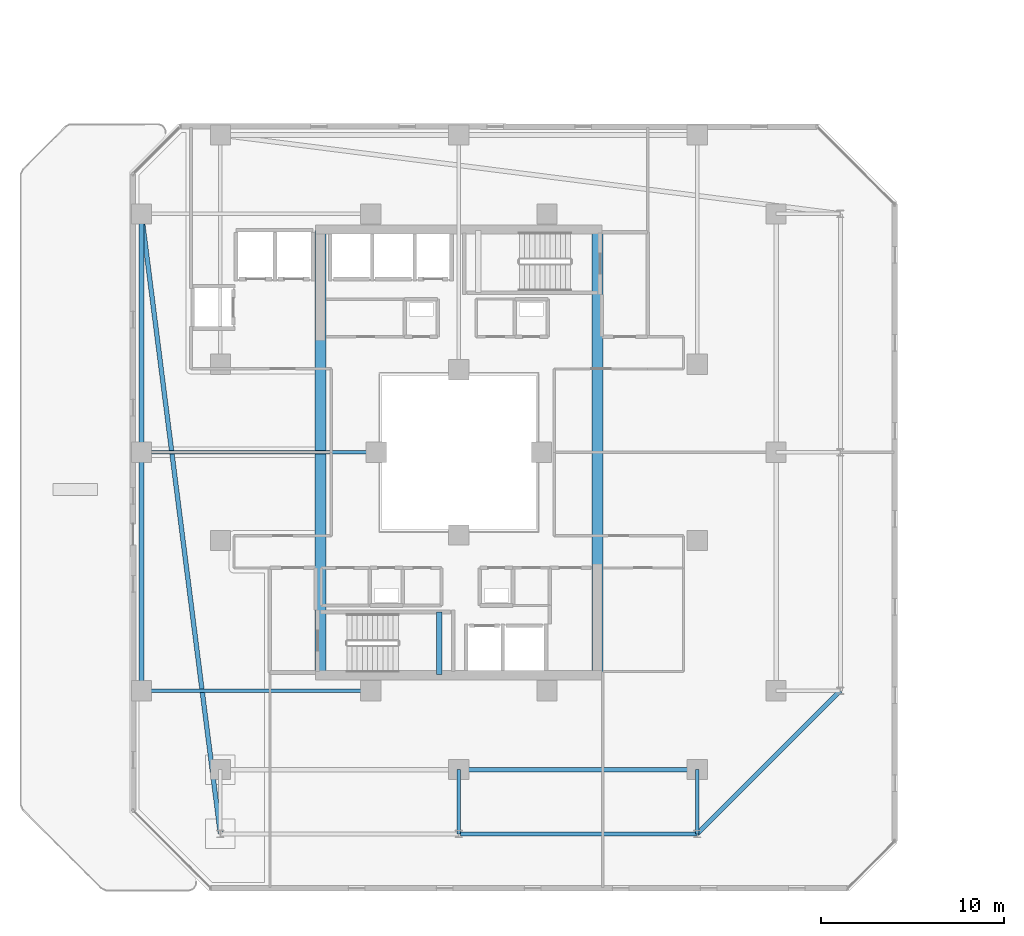
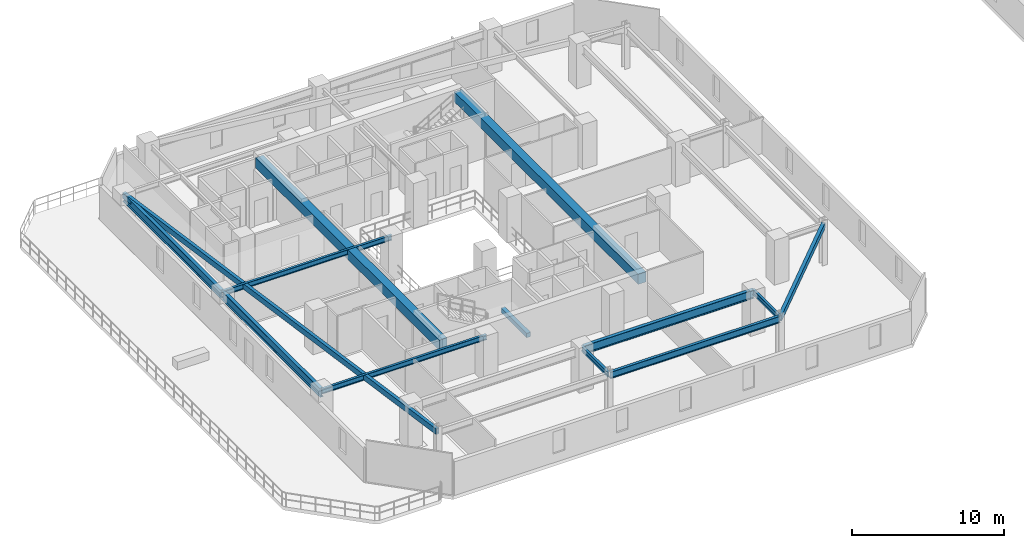
# One storey, part 4 of 30: 13 beams.
"""IFC4 building model written with IfcOpenShell, lengths in metres."""

from ifc_helpers import new_model, si_unit, direction, frame, origin, origin_2d, place, context, subcontext, project, spatial, rectangle, hollow_rectangle, i_section, extrude, material, material_profile, profile_set, type_object, element, save


model = new_model("IFC4")

# Units and contexts
model_context = context("Model", 3, precision=1e-05, world=origin(), true_north=direction((0.0, 1.0)))
body_context = subcontext(model_context, "Body", "Model", "MODEL_VIEW")
ifc_project = project(units=[si_unit("LENGTHUNIT", "METRE"), si_unit("AREAUNIT", "SQUARE_METRE"), si_unit("VOLUMEUNIT", "CUBIC_METRE"), si_unit("PLANEANGLEUNIT", "RADIAN"), si_unit("MASSUNIT", "GRAM", prefix="KILO")], contexts=[model_context])

# Site, building, storey
site_placement = place(None, origin())
site = spatial("IfcSite", under=ifc_project, at=site_placement, CompositionType="ELEMENT")
building_placement = place(site_placement, origin())
building = spatial("IfcBuilding", under=site, at=building_placement, Name="Thornwick Lancets Civic Towers", CompositionType="ELEMENT")
storey_placement = place(building_placement, frame((0.0, 0.0, 149.10009765625)))
storey = spatial("IfcBuildingStorey", under=building, at=storey_placement, Name="L39", CompositionType="ELEMENT", Elevation=149.10009765625)

# Beams
ifc_material_1 = material(Name="Concrete C60/75", Category="concrete")
ifc_material_profile_1 = material_profile(ifc_material_1, rectangle(XDim=0.60009765625, YDim=0.800048828125, at=origin_2d()), Name="RC 600x800")
ifc_profile_set_1 = profile_set([ifc_material_profile_1], Name="Concrete C60/75")
beam_type_1 = type_object("IfcBeamType", Name="BM_COUP_RC800", PredefinedType="BEAM", material=ifc_profile_set_1)
for number, where, z_axis, x_axis, name in (
    (1, (33.050048828125, 14.89990234375, 2.919921875), (0.0, 1.0, 0.0), (-1.0, 0.0, 0.0), "CB-L39-A1"),
    (2, (17.949951171875, 14.89990234375, 2.919921875), (0.0, 1.0, 0.0), (-1.0, 0.0, 0.0), "CB-L39-A2"),
):
    element("IfcBeam", number, at=place(storey_placement, frame(where, z_axis=z_axis, x_axis=x_axis)), inside=storey, type_object=beam_type_1, Name=name, PredefinedType="BEAM", context=body_context, shape_type="SweptSolid", body=[
        extrude(rectangle(XDim=0.60009765625, YDim=0.800048828125, at=origin_2d()), origin(), (0.0, 0.0, 1.0), 24.2001953125),
    ])
ifc_material_2 = material(Name="Steel S355JR", Category="steel")
ifc_material_profile_2 = material_profile(ifc_material_2, i_section(OverallWidth=0.210693359375, OverallDepth=0.53955078125, WebThickness=0.01171875, FlangeThickness=0.018798828125, FilletRadius=0.0126953125, at=origin_2d()), Name="UKB 533x210x109")
ifc_profile_set_2 = profile_set([ifc_material_profile_2], Name="Steel S355JR")
beam_type_2 = type_object("IfcBeamType", Name="BM_EDGE_533_109", PredefinedType="SPANDREL", material=ifc_profile_set_2)
beam_1_placement = place(storey_placement, frame((25.580078125, 6.199951171875, 3.050048828125), z_axis=(1.0, 0.0, 0.0), x_axis=(0.0, 1.0, 0.0)))
element("IfcBeam", 3, at=beam_1_placement, inside=storey, type_object=beam_type_2, Name="BM-EDGE-L39-A-S0-2", PredefinedType="SPANDREL", context=body_context, shape_type="SweptSolid", body=[
    extrude(i_section(OverallWidth=0.210693359375, OverallDepth=0.53955078125, WebThickness=0.01171875, FlangeThickness=0.018798828125, FilletRadius=0.0126953125, at=origin_2d()), origin(), (0.0, 0.0, 1.0), 12.919921875),
])
ifc_material_profile_3 = material_profile(ifc_material_2, i_section(OverallWidth=0.255859375, OverallDepth=0.69287109375, WebThickness=0.014404296875, FlangeThickness=0.023681640625, FilletRadius=0.01513671875, at=origin_2d()), Name="UKB 686x254x170")
ifc_profile_set_3 = profile_set([ifc_material_profile_3], Name="Steel S355JR")
beam_type_3 = type_object("IfcBeamType", Name="BM_GIRD_686_170", PredefinedType="BEAM", material=ifc_profile_set_3)
beam_2_placement = place(storey_placement, frame((25.580078125, 9.699951171875, 2.973388671875), z_axis=(1.0, 0.0, 0.0), x_axis=(0.0, 1.0, 0.0)))
element("IfcBeam", 4, at=beam_2_placement, inside=storey, type_object=beam_type_3, Name="BM-SPINE-L39-A-1-2", PredefinedType="BEAM", context=body_context, shape_type="SweptSolid", body=[
    extrude(i_section(OverallWidth=0.255859375, OverallDepth=0.69287109375, WebThickness=0.014404296875, FlangeThickness=0.023681640625, FilletRadius=0.01513671875, at=origin_2d()), origin(), (0.0, 0.0, 1.0), 12.919921875),
])
beam_3_placement = place(storey_placement, frame((8.199951171875, 14.0, 2.973388671875), z_axis=(0.0, 1.0, 0.0), x_axis=(-1.0, 0.0, 0.0)))
element("IfcBeam", 5, at=beam_3_placement, inside=storey, type_object=beam_type_3, Name="BM-SPINE-L39-A-9-10", PredefinedType="BEAM", context=body_context, shape_type="SweptSolid", body=[
    extrude(i_section(OverallWidth=0.255859375, OverallDepth=0.69287109375, WebThickness=0.014404296875, FlangeThickness=0.023681640625, FilletRadius=0.01513671875, at=origin_2d()), origin(), (0.0, 0.0, 1.0), 13.0),
])
beam_4_placement = place(storey_placement, frame((8.199951171875, 27.080078125, 2.973388671875), z_axis=(0.0, 1.0, 0.0), x_axis=(-1.0, 0.0, 0.0)))
element("IfcBeam", 6, at=beam_4_placement, inside=storey, type_object=beam_type_3, Name="BM-SPINE-L39-A-10-11", PredefinedType="BEAM", context=body_context, shape_type="SweptSolid", body=[
    extrude(i_section(OverallWidth=0.255859375, OverallDepth=0.69287109375, WebThickness=0.014404296875, FlangeThickness=0.023681640625, FilletRadius=0.01513671875, at=origin_2d()), origin(), (0.0, 0.0, 1.0), 12.919921875),
])
ifc_material_profile_4 = material_profile(ifc_material_2, i_section(OverallWidth=0.179443359375, OverallDepth=0.412841796875, WebThickness=0.009521484375, FlangeThickness=0.01611328125, FilletRadius=0.01025390625, at=origin_2d()), Name="UKB 406x178x74")
ifc_profile_set_4 = profile_set([ifc_material_profile_4], Name="Steel S355JR")
beam_type_4 = type_object("IfcBeamType", Name="BM_JOIST_406_74", PredefinedType="JOIST", material=ifc_profile_set_4)
for number, where, z_axis, x_axis, name in (
    (7, (25.5, 9.699951171875, 3.113525390625), (0.0, -1.0, 0.0), (1.0, 0.0, 0.0), "BM-RAD-L39-A02"),
    (8, (38.5, 9.699951171875, 3.113525390625), (0.0, -1.0, 0.0), (1.0, 0.0, 0.0), "BM-RAD-L39-A03"),
):
    element("IfcBeam", number, at=place(storey_placement, frame(where, z_axis=z_axis, x_axis=x_axis)), inside=storey, type_object=beam_type_4, Name=name, PredefinedType="JOIST", context=body_context, shape_type="SweptSolid", body=[
        extrude(i_section(OverallWidth=0.179443359375, OverallDepth=0.412841796875, WebThickness=0.009521484375, FlangeThickness=0.01611328125, FilletRadius=0.01025390625, at=origin_2d()), origin(), (0.0, 0.0, 1.0), 3.5),
    ])
beam_5_placement = place(storey_placement, frame((20.699951171875, 14.0, 3.113525390625), z_axis=(-1.0, 0.0, 0.0), x_axis=(0.0, -1.0, 0.0)))
element("IfcBeam", 9, at=beam_5_placement, inside=storey, type_object=beam_type_4, Name="BM-RADIN-L39-A10", PredefinedType="JOIST", context=body_context, shape_type="SweptSolid", body=[
    extrude(i_section(OverallWidth=0.179443359375, OverallDepth=0.412841796875, WebThickness=0.009521484375, FlangeThickness=0.01611328125, FilletRadius=0.01025390625, at=origin_2d()), origin(), (0.0, 0.0, 1.0), 12.5),
])
beam_6_placement = place(storey_placement, frame((21.0, 27.0, 3.113525390625), z_axis=(-1.0, 0.0, 0.0), x_axis=(0.0, -1.0, 0.0)))
element("IfcBeam", 10, at=beam_6_placement, inside=storey, type_object=beam_type_4, Name="BM-RADIN-L39-A11", PredefinedType="JOIST", context=body_context, shape_type="SweptSolid", body=[
    extrude(i_section(OverallWidth=0.179443359375, OverallDepth=0.412841796875, WebThickness=0.009521484375, FlangeThickness=0.01611328125, FilletRadius=0.01025390625, at=origin_2d()), origin(), (0.0, 0.0, 1.0), 12.800048828125),
])
ifc_material_profile_5 = material_profile(ifc_material_2, hollow_rectangle(XDim=0.25, YDim=0.449951171875, WallThickness=0.01611328125, at=origin_2d()), Name="RHS 450x250x16")
ifc_profile_set_5 = profile_set([ifc_material_profile_5], Name="Steel S355JR")
beam_type_5 = type_object("IfcBeamType", Name="BM_RING_RHS450", PredefinedType="BEAM", material=ifc_profile_set_5)
beam_7_placement = place(storey_placement, frame((38.5, 6.199951171875, 3.094970703125), z_axis=(0.707106781187, 0.707106781187, 0.0), x_axis=(-0.707106781187, 0.707106781187, 0.0)))
element("IfcBeam", 11, at=beam_7_placement, inside=storey, type_object=beam_type_5, Name="BM-CHAMF-L39-A-C0", PredefinedType="BEAM", context=body_context, shape_type="SweptSolid", body=[
    extrude(hollow_rectangle(XDim=0.25, YDim=0.449951171875, WallThickness=0.01611328125, at=origin_2d()), origin(), (0.0, 0.0, 1.0), 11.031005859375),
])
beam_8_placement = place(storey_placement, frame((8.199951171875, 40.0, 3.094970703125), z_axis=(0.126202998662, -0.992004437051, 0.0), x_axis=(0.992004437051, 0.126202998662, 0.0)))
element("IfcBeam", 12, at=beam_8_placement, inside=storey, type_object=beam_type_5, Name="BM-CHAMF-L39-A-C3", PredefinedType="BEAM", context=body_context, shape_type="SweptSolid", body=[
    extrude(hollow_rectangle(XDim=0.25, YDim=0.449951171875, WallThickness=0.01611328125, at=origin_2d()), origin(), (0.0, 0.0, 1.0), 34.072509765625),
])
ifc_material_3 = material(Name="Concrete C40/50", Category="concrete")
ifc_material_profile_6 = material_profile(ifc_material_3, rectangle(XDim=0.300048828125, YDim=0.35009765625, at=origin_2d()), Name="RC 300x350")
ifc_profile_set_6 = profile_set([ifc_material_profile_6], Name="Concrete C40/50")
beam_type_6 = type_object("IfcBeamType", Name="BM_STAIR_LDG", PredefinedType="BEAM", material=ifc_profile_set_6)
beam_9_placement = place(storey_placement, frame((24.43505859375, 14.89990234375, 1.3779296875), z_axis=(0.0, 1.0, 0.0), x_axis=(-1.0, 0.0, 0.0)))
element("IfcBeam", 13, at=beam_9_placement, inside=storey, type_object=beam_type_6, Name="L39 ST-A1 Landing Support Beam 1", PredefinedType="BEAM", context=body_context, shape_type="SweptSolid", body=[
    extrude(rectangle(XDim=0.300048828125, YDim=0.35009765625, at=origin_2d()), origin(), (0.0, 0.0, 1.0), 3.400146484375),
])

save(model, "model.ifc")
